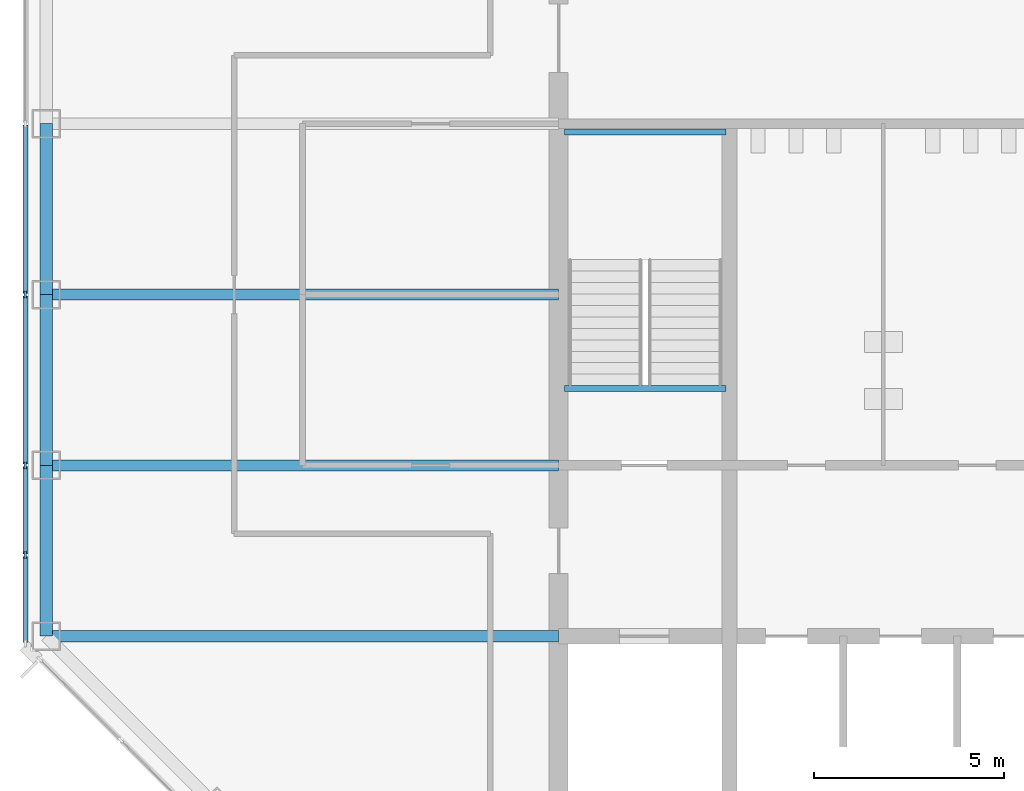
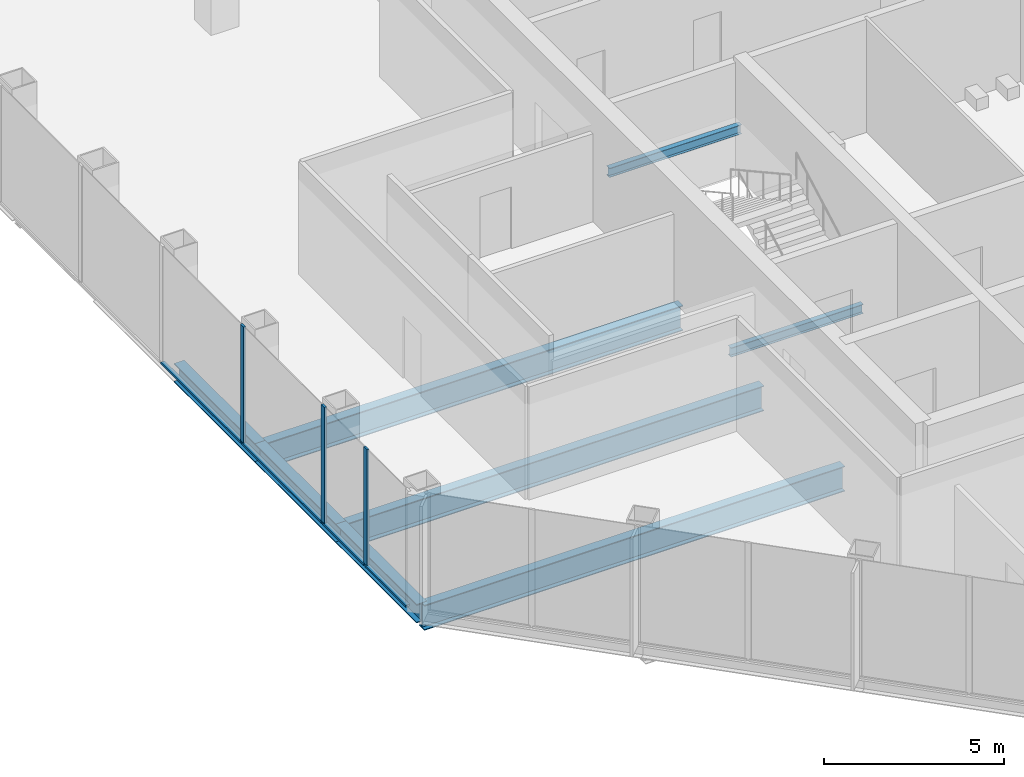
# One storey, part 3 of 12: 8 beams, 7 members, 1 element without a shape of its own.
"""IFC4 building model written with IfcOpenShell, lengths in metres."""

from ifc_helpers import new_model, si_unit, direction, frame, origin, origin_2d, place, context, subcontext, project, spatial, rectangle, i_section, extrude, material, material_profile, profile_set, type_object, element, aggregate, save


model = new_model("IFC4")

# Units and contexts
model_context = context("Model", 3, precision=1e-05, world=origin(), true_north=direction((0.0, 1.0)))
body_context = subcontext(model_context, "Body", "Model", "MODEL_VIEW")
ifc_project = project(units=[si_unit("LENGTHUNIT", "METRE"), si_unit("AREAUNIT", "SQUARE_METRE"), si_unit("VOLUMEUNIT", "CUBIC_METRE"), si_unit("PLANEANGLEUNIT", "RADIAN"), si_unit("MASSUNIT", "GRAM", prefix="KILO")], contexts=[model_context])

# Site, building, storey
site_placement = place(None, origin())
site = spatial("IfcSite", under=ifc_project, at=site_placement, CompositionType="ELEMENT")
building_placement = place(site_placement, origin())
building = spatial("IfcBuilding", under=site, at=building_placement, Name="Corais Broadcast Tower", CompositionType="ELEMENT")
storey_placement = place(building_placement, frame((0.0, 0.0, 131.60009765625)))
storey = spatial("IfcBuildingStorey", under=building, at=storey_placement, Name="L29", CompositionType="ELEMENT", Elevation=131.60009765625)

# Beams
ifc_material_1 = material(Name="Steel ASTM A572 Grade 50", Category="steel")
ifc_material_profile_1 = material_profile(ifc_material_1, i_section(OverallWidth=0.2939453125, OverallDepth=0.85107421875, WebThickness=0.01611328125, FlangeThickness=0.02685546875, at=origin_2d()), Name="W840x226")
ifc_profile_set_1 = profile_set([ifc_material_profile_1], Name="Steel ASTM A572 Grade 50")
beam_type_1 = type_object("IfcBeamType", Name="Floor beam W840x226", PredefinedType="BEAM", material=ifc_profile_set_1)
for number, where, z_axis, x_axis, name in (
    (1, (0.0, 18.0, -0.585693359375), (1.0, 0.0, 0.0), (0.0, 1.0, 0.0), "B1 E/3 to E/6"),
    (2, (0.0, 22.5, -0.585693359375), (1.0, 0.0, 0.0), (0.0, 1.0, 0.0), "B1 F/3 to F/6"),
    (3, (0.0, 27.0, -0.585693359375), (1.0, 0.0, 0.0), (0.0, 1.0, 0.0), "B1 G/3 to G/6"),
):
    element("IfcBeam", number, at=place(storey_placement, frame(where, z_axis=z_axis, x_axis=x_axis)), inside=storey, type_object=beam_type_1, Name=name, PredefinedType="BEAM", context=body_context, shape_type="SweptSolid", body=[
        extrude(i_section(OverallWidth=0.2939453125, OverallDepth=0.85107421875, WebThickness=0.01611328125, FlangeThickness=0.02685546875, at=origin_2d()), origin(), (0.0, 0.0, 1.0), 13.5),
    ])
ifc_material_2 = material(Name="Steel ASTM A572 Grade 50", Category="steel")
ifc_material_profile_2 = material_profile(ifc_material_2, i_section(OverallWidth=0.1650390625, OverallDepth=0.31005859375, WebThickness=0.005859375, FlangeThickness=0.009765625, at=origin_2d()), Name="W310x38.7")
ifc_profile_set_2 = profile_set([ifc_material_profile_2], Name="Steel ASTM A572 Grade 50")
beam_type_2 = type_object("IfcBeamType", Name="Landing trimmer W310x38.7", PredefinedType="BEAM", material=ifc_profile_set_2)
for number, where, z_axis, x_axis, name in (
    (4, (13.64990234375, 24.52490234375, -0.35498046875), (1.0, 0.0, 0.0), (0.0, 1.0, 0.0), "LT1 stair A landing trimmer L29"),
    (5, (13.64990234375, 31.284912109375, 1.64501953125), (1.0, 0.0, 0.0), (0.0, 1.0, 0.0), "LT1 stair A half landing trimmer L29"),
):
    element("IfcBeam", number, at=place(storey_placement, frame(where, z_axis=z_axis, x_axis=x_axis)), inside=storey, type_object=beam_type_2, Name=name, PredefinedType="BEAM", context=body_context, shape_type="SweptSolid", body=[
        extrude(i_section(OverallWidth=0.1650390625, OverallDepth=0.31005859375, WebThickness=0.005859375, FlangeThickness=0.009765625, at=origin_2d()), origin(), (0.0, 0.0, 1.0), 4.25),
    ])

# Curtain wall, members
ifc_material_3 = material(Name="Aluminium and glass", Category="aluminium")
curtain_wall_type = type_object("IfcCurtainWallType", Name="Unitised fritted curtain wall CW2", PredefinedType="NOTDEFINED", material=ifc_material_3)
curtain_wall_placement = place(storey_placement, origin())
curtain_wall = element("IfcCurtainWall", 6, at=curtain_wall_placement, inside=storey, type_object=curtain_wall_type, Name="CW2 curtain wall L29 2", PredefinedType="NOTDEFINED")
ifc_material_4 = material(Name="Aluminium 6063-T6", Category="aluminium")
ifc_material_profile_3 = material_profile(ifc_material_4, rectangle(XDim=0.06494140625, YDim=0.179931640625, at=origin_2d()), Name="Mullion CW2 65x180")
ifc_profile_set_3 = profile_set([ifc_material_profile_3], Name="Aluminium 6063-T6")
member_type_1 = type_object("IfcMemberType", Name="Mullion CW2 65x180", PredefinedType="MULLION", material=ifc_profile_set_3)
member_1_placement = place(storey_placement, frame((-0.550048828125, 20.135986328125, 0.0), z_axis=(0.0, 0.0, 1.0), x_axis=(-1.0, 0.0, 0.0)))
member_1 = element("IfcMember", 7, at=member_1_placement, type_object=member_type_1, Name="CW2 mullion 2", PredefinedType="MULLION", context=body_context, shape_type="SweptSolid", body=[
    extrude(rectangle(XDim=0.06494140625, YDim=0.179931640625, at=origin_2d()), origin(), (0.0, 0.0, 1.0), 4.0),
])
member_2_placement = place(storey_placement, frame((-0.550048828125, 22.5, 0.0), z_axis=(0.0, 0.0, 1.0), x_axis=(-1.0, 0.0, 0.0)))
member_2 = element("IfcMember", 8, at=member_2_placement, type_object=member_type_1, Name="CW2 mullion 3", PredefinedType="MULLION", context=body_context, shape_type="SweptSolid", body=[
    extrude(rectangle(XDim=0.06494140625, YDim=0.179931640625, at=origin_2d()), origin(), (0.0, 0.0, 1.0), 4.0),
])
member_3_placement = place(storey_placement, frame((-0.550048828125, 27.0, 0.0), z_axis=(0.0, 0.0, 1.0), x_axis=(-1.0, 0.0, 0.0)))
member_3 = element("IfcMember", 9, at=member_3_placement, type_object=member_type_1, Name="CW2 mullion 4", PredefinedType="MULLION", context=body_context, shape_type="SweptSolid", body=[
    extrude(rectangle(XDim=0.06494140625, YDim=0.179931640625, at=origin_2d()), origin(), (0.0, 0.0, 1.0), 4.0),
])

# Beams
ifc_material_5 = material(Name="Steel ASTM A572 Grade 50", Category="steel")
ifc_material_profile_4 = material_profile(ifc_material_5, i_section(OverallWidth=0.3291015625, OverallDepth=0.635009765625, WebThickness=0.017822265625, FlangeThickness=0.031005859375, at=origin_2d()), Name="W610x241")
ifc_profile_set_4 = profile_set([ifc_material_profile_4], Name="Steel ASTM A572 Grade 50")
beam_type_3 = type_object("IfcBeamType", Name="Spandrel W610x241", PredefinedType="BEAM", material=ifc_profile_set_4)
for number, where, z_axis, x_axis, name in (
    (10, (0.0, 22.5, -0.4775390625), (0.0, -1.0, 0.0), (1.0, 0.0, 0.0), "SB1 F/3 to E/3"),
    (11, (0.0, 27.0, -0.4775390625), (0.0, -1.0, 0.0), (1.0, 0.0, 0.0), "SB1 G/3 to F/3"),
    (12, (0.0, 31.5, -0.4775390625), (0.0, -1.0, 0.0), (1.0, 0.0, 0.0), "SB1 H/3 to G/3"),
):
    element("IfcBeam", number, at=place(storey_placement, frame(where, z_axis=z_axis, x_axis=x_axis)), inside=storey, type_object=beam_type_3, Name=name, PredefinedType="BEAM", context=body_context, shape_type="SweptSolid", body=[
        extrude(i_section(OverallWidth=0.3291015625, OverallDepth=0.635009765625, WebThickness=0.017822265625, FlangeThickness=0.031005859375, at=origin_2d()), origin(), (0.0, 0.0, 1.0), 4.5),
    ])

# Member
ifc_material_6 = material(Name="Aluminium 6063-T6", Category="aluminium")
ifc_material_profile_5 = material_profile(ifc_material_6, rectangle(XDim=0.1298828125, YDim=0.06494140625, at=origin_2d()), Name="Transom CW2 65x130")
ifc_profile_set_5 = profile_set([ifc_material_profile_5], Name="Aluminium 6063-T6")
member_type_2 = type_object("IfcMemberType", Name="Transom CW2 65x130", PredefinedType="USERDEFINED", material=ifc_profile_set_5)
member_4_placement = place(storey_placement, frame((-0.550048828125, 17.837158203125, 0.032470703125), z_axis=(0.0, 1.0, 0.0), x_axis=(-1.0, 0.0, 0.0)))
member_4 = element("IfcMember", 13, at=member_4_placement, type_object=member_type_2, Name="CW2 transom 1.1", ObjectType="TRANSOM", PredefinedType="USERDEFINED", context=body_context, shape_type="SweptSolid", body=[
    extrude(rectangle(XDim=0.1298828125, YDim=0.06494140625, at=origin_2d()), origin(), (0.0, 0.0, 1.0), 2.266357421875),
])

member_5_placement = place(storey_placement, frame((-0.550048828125, 20.168701171875, 0.032470703125), z_axis=(0.0, 1.0, 0.0), x_axis=(-1.0, 0.0, 0.0)))
member_5 = element("IfcMember", 14, at=member_5_placement, type_object=member_type_2, Name="CW2 transom 2.1", ObjectType="TRANSOM", PredefinedType="USERDEFINED", context=body_context, shape_type="SweptSolid", body=[
    extrude(rectangle(XDim=0.1298828125, YDim=0.06494140625, at=origin_2d()), origin(), (0.0, 0.0, 1.0), 2.298828125),
])

member_6_placement = place(storey_placement, frame((-0.550048828125, 22.532470703125, 0.032470703125), z_axis=(0.0, 1.0, 0.0), x_axis=(-1.0, 0.0, 0.0)))
member_6 = element("IfcMember", 15, at=member_6_placement, type_object=member_type_2, Name="CW2 transom 3.1", ObjectType="TRANSOM", PredefinedType="USERDEFINED", context=body_context, shape_type="SweptSolid", body=[
    extrude(rectangle(XDim=0.1298828125, YDim=0.06494140625, at=origin_2d()), origin(), (0.0, 0.0, 1.0), 4.43505859375),
])

member_7_placement = place(storey_placement, frame((-0.550048828125, 27.032470703125, 0.032470703125), z_axis=(0.0, 1.0, 0.0), x_axis=(-1.0, 0.0, 0.0)))
member_7 = element("IfcMember", 16, at=member_7_placement, type_object=member_type_2, Name="CW2 transom 4.1", ObjectType="TRANSOM", PredefinedType="USERDEFINED", context=body_context, shape_type="SweptSolid", body=[
    extrude(rectangle(XDim=0.1298828125, YDim=0.06494140625, at=origin_2d()), origin(), (0.0, 0.0, 1.0), 4.43505859375),
])

aggregate(curtain_wall, [member_1, member_2, member_3, member_4, member_5, member_6, member_7])

save(model, "model.ifc")
